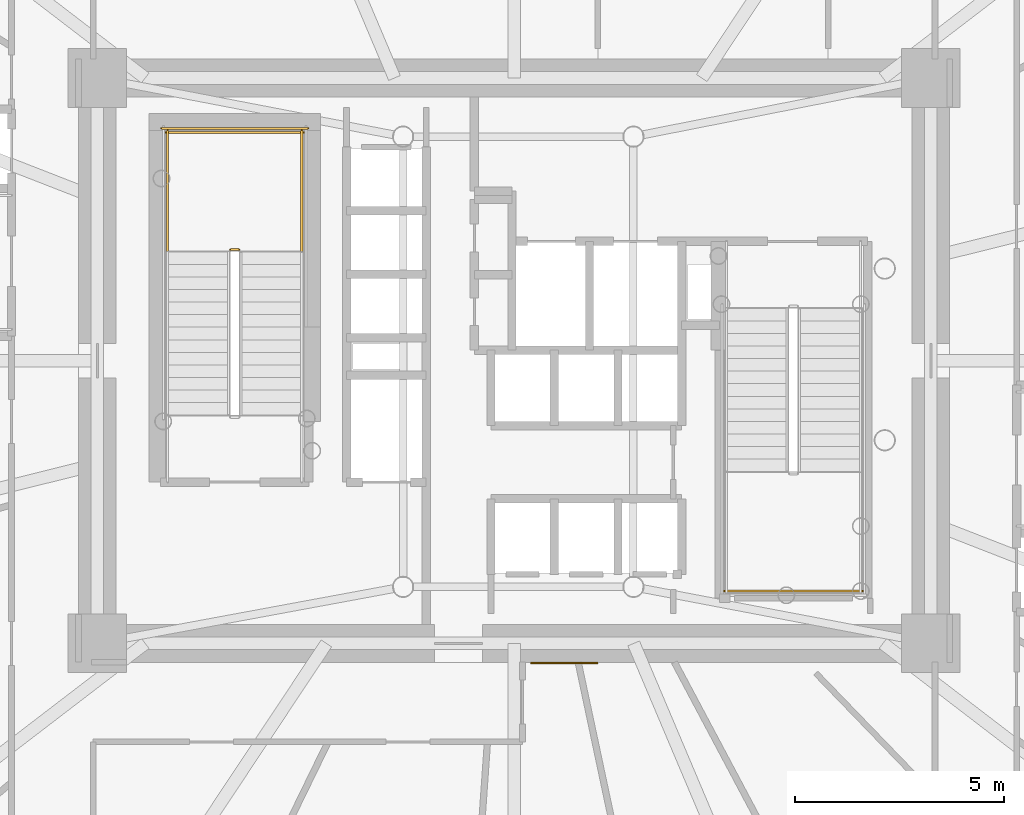
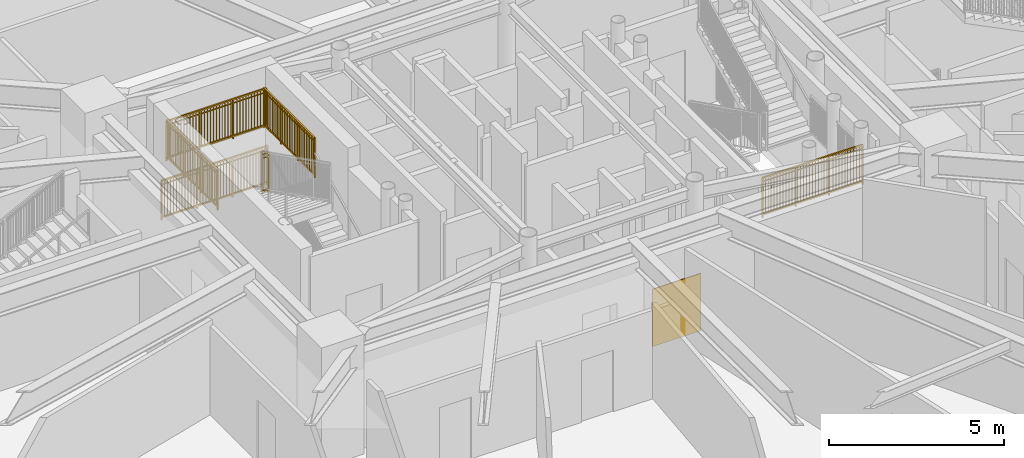
# One storey, part 22 of 27: 6 railings, 1 covering.
"""IFC4 building model written with IfcOpenShell, lengths in metres."""

from ifc_helpers import new_model, si_unit, direction, frame, origin, origin_2d, place, context, subcontext, project, spatial, rectangle, extrude, source, transform, mapped, material, layer, layer_set, type_object, element, save


model = new_model("IFC4")

# Units and contexts
model_context = context("Model", 3, precision=1e-05, world=origin(), true_north=direction((0.0, 1.0)))
body_context = subcontext(model_context, "Body", "Model", "MODEL_VIEW")
ifc_project = project(units=[si_unit("LENGTHUNIT", "METRE"), si_unit("AREAUNIT", "SQUARE_METRE"), si_unit("VOLUMEUNIT", "CUBIC_METRE"), si_unit("PLANEANGLEUNIT", "RADIAN"), si_unit("MASSUNIT", "GRAM", prefix="KILO")], contexts=[model_context])

# Site, building, storey
site_placement = place(None, origin())
site = spatial("IfcSite", under=ifc_project, at=site_placement, CompositionType="ELEMENT")
building_placement = place(site_placement, origin())
building = spatial("IfcBuilding", under=site, at=building_placement, Name="Linh Dai School and Residence Tower", CompositionType="ELEMENT")
storey_placement = place(building_placement, frame((0.0, 0.0, 18.60009765625)))
storey = spatial("IfcBuildingStorey", under=building, at=storey_placement, Name="L04", CompositionType="ELEMENT", Elevation=18.60009765625)

# Railings
ifc_material_1 = material(Name="Structural Steel S355JR", Category="steel")
railing_type = type_object("IfcRailingType", Name="RL-ST-GUARD-1400", PredefinedType="GUARDRAIL", material=ifc_material_1)
shared_shape_1 = source(origin(), body_context, "Body", "SweptSolid", [
    extrude(rectangle(XDim=0.048095703125, YDim=0.048095703125, at=origin_2d()), frame((0.0, 0.0, 1.3759765625), z_axis=(-1.0, 0.0, 0.0), x_axis=(0.0, -1.0, 0.0)), (0.0, 0.0, 1.0), 0.199951171875),
    extrude(rectangle(XDim=0.048095703125, YDim=0.048095703125, at=origin_2d()), frame((0.0, 0.0, 0.10009765625), z_axis=(-1.0, 0.0, 0.0), x_axis=(0.0, -1.0, 0.0)), (0.0, 0.0, 1.0), 0.199951171875),
    extrude(rectangle(XDim=0.030029296875, YDim=0.030029296875, at=origin_2d()), frame((0.0, 0.0, 1.239990234375), z_axis=(-1.0, 0.0, 0.0), x_axis=(0.0, -1.0, 0.0)), (0.0, 0.0, 1.0), 0.199951171875),
    extrude(rectangle(XDim=0.0419921875, YDim=0.0419921875, at=origin_2d()), origin(), (0.0, 0.0, 1.0), 1.3759765625),
    extrude(rectangle(XDim=0.0419921875, YDim=0.0419921875, at=origin_2d()), frame((-0.199951171875, 0.0, 0.0)), (0.0, 0.0, 1.0), 1.3759765625),
])
railing_1_placement = place(storey_placement, frame((29.429931640625, 29.64990234375, 2.099853515625)))
element("IfcRailing", 1, at=railing_1_placement, inside=storey, type_object=railing_type, Name="L04 ST1 stair guard 2", PredefinedType="GUARDRAIL", context=body_context, shape_type="MappedRepresentation", body=[
    mapped(shared_shape_1, transform((0.0, 0.0, 0.0), x_axis=(1.0, 0.0, 0.0), y_axis=(0.0, 1.0, 0.0), z_axis=(0.0, 0.0, 1.0), scale=1.0)),
])
shared_shape_2 = source(origin(), body_context, "Body", "SweptSolid", [
    extrude(rectangle(XDim=0.048095703125, YDim=0.048095703125, at=origin_2d()), frame((0.0, 0.0, 1.3759765625), z_axis=(-1.0, 0.0, 0.0), x_axis=(0.0, -1.0, 0.0)), (0.0, 0.0, 1.0), 3.300048828125),
    extrude(rectangle(XDim=0.048095703125, YDim=0.048095703125, at=origin_2d()), frame((0.0, 0.0, 0.10009765625), z_axis=(-1.0, 0.0, 0.0), x_axis=(0.0, -1.0, 0.0)), (0.0, 0.0, 1.0), 3.300048828125),
    extrude(rectangle(XDim=0.030029296875, YDim=0.030029296875, at=origin_2d()), frame((0.0, 0.0, 1.239990234375), z_axis=(-1.0, 0.0, 0.0), x_axis=(0.0, -1.0, 0.0)), (0.0, 0.0, 1.0), 3.300048828125),
    extrude(rectangle(XDim=0.02001953125, YDim=0.02001953125, at=origin_2d()), frame((-0.09716796875, 0.0, 0.10009765625)), (0.0, 0.0, 1.0), 1.251708984375),
    extrude(rectangle(XDim=0.02001953125, YDim=0.02001953125, at=origin_2d()), frame((-0.194091796875, 0.0, 0.10009765625)), (0.0, 0.0, 1.0), 1.251708984375),
    extrude(rectangle(XDim=0.02001953125, YDim=0.02001953125, at=origin_2d()), frame((-0.291259765625, 0.0, 0.10009765625)), (0.0, 0.0, 1.0), 1.251708984375),
    extrude(rectangle(XDim=0.02001953125, YDim=0.02001953125, at=origin_2d()), frame((-0.38818359375, 0.0, 0.10009765625)), (0.0, 0.0, 1.0), 1.251708984375),
    extrude(rectangle(XDim=0.02001953125, YDim=0.02001953125, at=origin_2d()), frame((-0.4853515625, 0.0, 0.10009765625)), (0.0, 0.0, 1.0), 1.251708984375),
    extrude(rectangle(XDim=0.02001953125, YDim=0.02001953125, at=origin_2d()), frame((-0.582275390625, 0.0, 0.10009765625)), (0.0, 0.0, 1.0), 1.251708984375),
    extrude(rectangle(XDim=0.02001953125, YDim=0.02001953125, at=origin_2d()), frame((-0.679443359375, 0.0, 0.10009765625)), (0.0, 0.0, 1.0), 1.251708984375),
    extrude(rectangle(XDim=0.02001953125, YDim=0.02001953125, at=origin_2d()), frame((-0.7763671875, 0.0, 0.10009765625)), (0.0, 0.0, 1.0), 1.251708984375),
    extrude(rectangle(XDim=0.02001953125, YDim=0.02001953125, at=origin_2d()), frame((-0.87353515625, 0.0, 0.10009765625)), (0.0, 0.0, 1.0), 1.251708984375),
    extrude(rectangle(XDim=0.02001953125, YDim=0.02001953125, at=origin_2d()), frame((-0.970703125, 0.0, 0.10009765625)), (0.0, 0.0, 1.0), 1.251708984375),
    extrude(rectangle(XDim=0.02001953125, YDim=0.02001953125, at=origin_2d()), frame((-1.164794921875, 0.0, 0.10009765625)), (0.0, 0.0, 1.0), 1.251708984375),
    extrude(rectangle(XDim=0.02001953125, YDim=0.02001953125, at=origin_2d()), frame((-1.26171875, 0.0, 0.10009765625)), (0.0, 0.0, 1.0), 1.251708984375),
    extrude(rectangle(XDim=0.02001953125, YDim=0.02001953125, at=origin_2d()), frame((-1.35888671875, 0.0, 0.10009765625)), (0.0, 0.0, 1.0), 1.251708984375),
    extrude(rectangle(XDim=0.02001953125, YDim=0.02001953125, at=origin_2d()), frame((-1.455810546875, 0.0, 0.10009765625)), (0.0, 0.0, 1.0), 1.251708984375),
    extrude(rectangle(XDim=0.02001953125, YDim=0.02001953125, at=origin_2d()), frame((-1.552978515625, 0.0, 0.10009765625)), (0.0, 0.0, 1.0), 1.251708984375),
    extrude(rectangle(XDim=0.02001953125, YDim=0.02001953125, at=origin_2d()), frame((-1.64990234375, 0.0, 0.10009765625)), (0.0, 0.0, 1.0), 1.251708984375),
    extrude(rectangle(XDim=0.02001953125, YDim=0.02001953125, at=origin_2d()), frame((-1.7470703125, 0.0, 0.10009765625)), (0.0, 0.0, 1.0), 1.251708984375),
    extrude(rectangle(XDim=0.02001953125, YDim=0.02001953125, at=origin_2d()), frame((-1.84423828125, 0.0, 0.10009765625)), (0.0, 0.0, 1.0), 1.251708984375),
    extrude(rectangle(XDim=0.02001953125, YDim=0.02001953125, at=origin_2d()), frame((-1.941162109375, 0.0, 0.10009765625)), (0.0, 0.0, 1.0), 1.251708984375),
    extrude(rectangle(XDim=0.02001953125, YDim=0.02001953125, at=origin_2d()), frame((-2.038330078125, 0.0, 0.10009765625)), (0.0, 0.0, 1.0), 1.251708984375),
    extrude(rectangle(XDim=0.02001953125, YDim=0.02001953125, at=origin_2d()), frame((-2.13525390625, 0.0, 0.10009765625)), (0.0, 0.0, 1.0), 1.251708984375),
    extrude(rectangle(XDim=0.02001953125, YDim=0.02001953125, at=origin_2d()), frame((-2.329345703125, 0.0, 0.10009765625)), (0.0, 0.0, 1.0), 1.251708984375),
    extrude(rectangle(XDim=0.02001953125, YDim=0.02001953125, at=origin_2d()), frame((-2.426513671875, 0.0, 0.10009765625)), (0.0, 0.0, 1.0), 1.251708984375),
    extrude(rectangle(XDim=0.02001953125, YDim=0.02001953125, at=origin_2d()), frame((-2.523681640625, 0.0, 0.10009765625)), (0.0, 0.0, 1.0), 1.251708984375),
    extrude(rectangle(XDim=0.02001953125, YDim=0.02001953125, at=origin_2d()), frame((-2.62060546875, 0.0, 0.10009765625)), (0.0, 0.0, 1.0), 1.251708984375),
    extrude(rectangle(XDim=0.02001953125, YDim=0.02001953125, at=origin_2d()), frame((-2.7177734375, 0.0, 0.10009765625)), (0.0, 0.0, 1.0), 1.251708984375),
    extrude(rectangle(XDim=0.02001953125, YDim=0.02001953125, at=origin_2d()), frame((-2.814697265625, 0.0, 0.10009765625)), (0.0, 0.0, 1.0), 1.251708984375),
    extrude(rectangle(XDim=0.02001953125, YDim=0.02001953125, at=origin_2d()), frame((-2.911865234375, 0.0, 0.10009765625)), (0.0, 0.0, 1.0), 1.251708984375),
    extrude(rectangle(XDim=0.02001953125, YDim=0.02001953125, at=origin_2d()), frame((-3.0087890625, 0.0, 0.10009765625)), (0.0, 0.0, 1.0), 1.251708984375),
    extrude(rectangle(XDim=0.02001953125, YDim=0.02001953125, at=origin_2d()), frame((-3.10595703125, 0.0, 0.10009765625)), (0.0, 0.0, 1.0), 1.251708984375),
    extrude(rectangle(XDim=0.02001953125, YDim=0.02001953125, at=origin_2d()), frame((-3.202880859375, 0.0, 0.10009765625)), (0.0, 0.0, 1.0), 1.251708984375),
    extrude(rectangle(XDim=0.0419921875, YDim=0.0419921875, at=origin_2d()), origin(), (0.0, 0.0, 1.0), 1.3759765625),
    extrude(rectangle(XDim=0.0419921875, YDim=0.0419921875, at=origin_2d()), frame((-1.10009765625, 0.0, 0.0)), (0.0, 0.0, 1.0), 1.3759765625),
    extrude(rectangle(XDim=0.0419921875, YDim=0.0419921875, at=origin_2d()), frame((-2.199951171875, 0.0, 0.0)), (0.0, 0.0, 1.0), 1.3759765625),
    extrude(rectangle(XDim=0.0419921875, YDim=0.0419921875, at=origin_2d()), frame((-3.300048828125, 0.0, 0.0)), (0.0, 0.0, 1.0), 1.3759765625),
])
railing_2_placement = place(storey_placement, frame((30.97998046875, 32.449951171875, 2.099853515625)))
element("IfcRailing", 2, at=railing_2_placement, inside=storey, type_object=railing_type, Name="L04 ST1 stair guard 5", PredefinedType="GUARDRAIL", context=body_context, shape_type="MappedRepresentation", body=[
    mapped(shared_shape_2, transform((0.0, 0.0, 0.0), x_axis=(1.0, 0.0, 0.0), y_axis=(0.0, 1.0, 0.0), z_axis=(0.0, 0.0, 1.0), scale=1.0)),
])
shared_shape_3 = source(origin(), body_context, "Body", "SweptSolid", [
    extrude(rectangle(XDim=0.048095703125, YDim=0.048095703125, at=origin_2d()), frame((0.0, 0.0, 1.3759765625), z_axis=(-1.0, 0.0, 0.0), x_axis=(0.0, -1.0, 0.0)), (0.0, 0.0, 1.0), 3.5),
    extrude(rectangle(XDim=0.048095703125, YDim=0.048095703125, at=origin_2d()), frame((0.0, 0.0, 0.10009765625), z_axis=(-1.0, 0.0, 0.0), x_axis=(0.0, -1.0, 0.0)), (0.0, 0.0, 1.0), 3.5),
    extrude(rectangle(XDim=0.030029296875, YDim=0.030029296875, at=origin_2d()), frame((0.0, 0.0, 1.239990234375), z_axis=(-1.0, 0.0, 0.0), x_axis=(0.0, -1.0, 0.0)), (0.0, 0.0, 1.0), 3.5),
    extrude(rectangle(XDim=0.02001953125, YDim=0.02001953125, at=origin_2d()), frame((-0.09716796875, 0.0, 0.10009765625)), (0.0, 0.0, 1.0), 1.251708984375),
    extrude(rectangle(XDim=0.02001953125, YDim=0.02001953125, at=origin_2d()), frame((-0.1943359375, 0.0, 0.10009765625)), (0.0, 0.0, 1.0), 1.251708984375),
    extrude(rectangle(XDim=0.02001953125, YDim=0.02001953125, at=origin_2d()), frame((-0.291748046875, 0.0, 0.10009765625)), (0.0, 0.0, 1.0), 1.251708984375),
    extrude(rectangle(XDim=0.02001953125, YDim=0.02001953125, at=origin_2d()), frame((-0.388916015625, 0.0, 0.10009765625)), (0.0, 0.0, 1.0), 1.251708984375),
    extrude(rectangle(XDim=0.02001953125, YDim=0.02001953125, at=origin_2d()), frame((-0.486083984375, 0.0, 0.10009765625)), (0.0, 0.0, 1.0), 1.251708984375),
    extrude(rectangle(XDim=0.02001953125, YDim=0.02001953125, at=origin_2d()), frame((-0.583251953125, 0.0, 0.10009765625)), (0.0, 0.0, 1.0), 1.251708984375),
    extrude(rectangle(XDim=0.02001953125, YDim=0.02001953125, at=origin_2d()), frame((-0.6806640625, 0.0, 0.10009765625)), (0.0, 0.0, 1.0), 1.251708984375),
    extrude(rectangle(XDim=0.02001953125, YDim=0.02001953125, at=origin_2d()), frame((-0.77783203125, 0.0, 0.10009765625)), (0.0, 0.0, 1.0), 1.251708984375),
    extrude(rectangle(XDim=0.02001953125, YDim=0.02001953125, at=origin_2d()), frame((-0.875, 0.0, 0.10009765625)), (0.0, 0.0, 1.0), 1.251708984375),
    extrude(rectangle(XDim=0.02001953125, YDim=0.02001953125, at=origin_2d()), frame((-0.97216796875, 0.0, 0.10009765625)), (0.0, 0.0, 1.0), 1.251708984375),
    extrude(rectangle(XDim=0.02001953125, YDim=0.02001953125, at=origin_2d()), frame((-1.0693359375, 0.0, 0.10009765625)), (0.0, 0.0, 1.0), 1.251708984375),
    extrude(rectangle(XDim=0.02001953125, YDim=0.02001953125, at=origin_2d()), frame((-1.263916015625, 0.0, 0.10009765625)), (0.0, 0.0, 1.0), 1.251708984375),
    extrude(rectangle(XDim=0.02001953125, YDim=0.02001953125, at=origin_2d()), frame((-1.361083984375, 0.0, 0.10009765625)), (0.0, 0.0, 1.0), 1.251708984375),
    extrude(rectangle(XDim=0.02001953125, YDim=0.02001953125, at=origin_2d()), frame((-1.458251953125, 0.0, 0.10009765625)), (0.0, 0.0, 1.0), 1.251708984375),
    extrude(rectangle(XDim=0.02001953125, YDim=0.02001953125, at=origin_2d()), frame((-1.5556640625, 0.0, 0.10009765625)), (0.0, 0.0, 1.0), 1.251708984375),
    extrude(rectangle(XDim=0.02001953125, YDim=0.02001953125, at=origin_2d()), frame((-1.65283203125, 0.0, 0.10009765625)), (0.0, 0.0, 1.0), 1.251708984375),
    extrude(rectangle(XDim=0.02001953125, YDim=0.02001953125, at=origin_2d()), frame((-1.75, 0.0, 0.10009765625)), (0.0, 0.0, 1.0), 1.251708984375),
    extrude(rectangle(XDim=0.02001953125, YDim=0.02001953125, at=origin_2d()), frame((-1.84716796875, 0.0, 0.10009765625)), (0.0, 0.0, 1.0), 1.251708984375),
    extrude(rectangle(XDim=0.02001953125, YDim=0.02001953125, at=origin_2d()), frame((-1.9443359375, 0.0, 0.10009765625)), (0.0, 0.0, 1.0), 1.251708984375),
    extrude(rectangle(XDim=0.02001953125, YDim=0.02001953125, at=origin_2d()), frame((-2.041748046875, 0.0, 0.10009765625)), (0.0, 0.0, 1.0), 1.251708984375),
    extrude(rectangle(XDim=0.02001953125, YDim=0.02001953125, at=origin_2d()), frame((-2.138916015625, 0.0, 0.10009765625)), (0.0, 0.0, 1.0), 1.251708984375),
    extrude(rectangle(XDim=0.02001953125, YDim=0.02001953125, at=origin_2d()), frame((-2.236083984375, 0.0, 0.10009765625)), (0.0, 0.0, 1.0), 1.251708984375),
    extrude(rectangle(XDim=0.02001953125, YDim=0.02001953125, at=origin_2d()), frame((-2.4306640625, 0.0, 0.10009765625)), (0.0, 0.0, 1.0), 1.251708984375),
    extrude(rectangle(XDim=0.02001953125, YDim=0.02001953125, at=origin_2d()), frame((-2.52783203125, 0.0, 0.10009765625)), (0.0, 0.0, 1.0), 1.251708984375),
    extrude(rectangle(XDim=0.02001953125, YDim=0.02001953125, at=origin_2d()), frame((-2.625, 0.0, 0.10009765625)), (0.0, 0.0, 1.0), 1.251708984375),
    extrude(rectangle(XDim=0.02001953125, YDim=0.02001953125, at=origin_2d()), frame((-2.72216796875, 0.0, 0.10009765625)), (0.0, 0.0, 1.0), 1.251708984375),
    extrude(rectangle(XDim=0.02001953125, YDim=0.02001953125, at=origin_2d()), frame((-2.8193359375, 0.0, 0.10009765625)), (0.0, 0.0, 1.0), 1.251708984375),
    extrude(rectangle(XDim=0.02001953125, YDim=0.02001953125, at=origin_2d()), frame((-2.916748046875, 0.0, 0.10009765625)), (0.0, 0.0, 1.0), 1.251708984375),
    extrude(rectangle(XDim=0.02001953125, YDim=0.02001953125, at=origin_2d()), frame((-3.013916015625, 0.0, 0.10009765625)), (0.0, 0.0, 1.0), 1.251708984375),
    extrude(rectangle(XDim=0.02001953125, YDim=0.02001953125, at=origin_2d()), frame((-3.111083984375, 0.0, 0.10009765625)), (0.0, 0.0, 1.0), 1.251708984375),
    extrude(rectangle(XDim=0.02001953125, YDim=0.02001953125, at=origin_2d()), frame((-3.208251953125, 0.0, 0.10009765625)), (0.0, 0.0, 1.0), 1.251708984375),
    extrude(rectangle(XDim=0.02001953125, YDim=0.02001953125, at=origin_2d()), frame((-3.3056640625, 0.0, 0.10009765625)), (0.0, 0.0, 1.0), 1.251708984375),
    extrude(rectangle(XDim=0.02001953125, YDim=0.02001953125, at=origin_2d()), frame((-3.40283203125, 0.0, 0.10009765625)), (0.0, 0.0, 1.0), 1.251708984375),
    extrude(rectangle(XDim=0.0419921875, YDim=0.0419921875, at=origin_2d()), origin(), (0.0, 0.0, 1.0), 1.3759765625),
    extrude(rectangle(XDim=0.0419921875, YDim=0.0419921875, at=origin_2d()), frame((-1.166748046875, 0.0, 0.0)), (0.0, 0.0, 1.0), 1.3759765625),
    extrude(rectangle(XDim=0.0419921875, YDim=0.0419921875, at=origin_2d()), frame((-2.333251953125, 0.0, 0.0)), (0.0, 0.0, 1.0), 1.3759765625),
    extrude(rectangle(XDim=0.0419921875, YDim=0.0419921875, at=origin_2d()), frame((-3.5, 0.0, 0.0)), (0.0, 0.0, 1.0), 1.3759765625),
])
railing_3_placement = place(storey_placement, frame((31.080078125, 32.550048828125, 0.0)))
element("IfcRailing", 3, at=railing_3_placement, inside=storey, type_object=railing_type, Name="L04 ST1 stair guard 12", PredefinedType="GUARDRAIL", context=body_context, shape_type="MappedRepresentation", body=[
    mapped(shared_shape_3, transform((0.0, 0.0, 0.0), x_axis=(1.0, 0.0, 0.0), y_axis=(0.0, 1.0, 0.0), z_axis=(0.0, 0.0, 1.0), scale=1.0)),
])
shared_shape_4 = source(origin(), body_context, "Body", "SweptSolid", [
    extrude(rectangle(XDim=0.048095703125, YDim=0.048095703125, at=origin_2d()), frame((0.0, 0.0, 1.3759765625), z_axis=(0.0, 1.0, 0.0), x_axis=(-1.0, 0.0, 0.0)), (0.0, 0.0, 1.0), 2.89990234375),
    extrude(rectangle(XDim=0.048095703125, YDim=0.048095703125, at=origin_2d()), frame((0.0, 0.0, 0.10009765625), z_axis=(0.0, 1.0, 0.0), x_axis=(-1.0, 0.0, 0.0)), (0.0, 0.0, 1.0), 2.89990234375),
    extrude(rectangle(XDim=0.030029296875, YDim=0.030029296875, at=origin_2d()), frame((0.0, 0.0, 1.239990234375), z_axis=(0.0, 1.0, 0.0), x_axis=(-1.0, 0.0, 0.0)), (0.0, 0.0, 1.0), 2.89990234375),
    extrude(rectangle(XDim=0.02001953125, YDim=0.02001953125, at=origin_2d()), frame((0.0, 0.0966796875, 0.10009765625)), (0.0, 0.0, 1.0), 1.251708984375),
    extrude(rectangle(XDim=0.02001953125, YDim=0.02001953125, at=origin_2d()), frame((0.0, 0.193359375, 0.10009765625)), (0.0, 0.0, 1.0), 1.251708984375),
    extrude(rectangle(XDim=0.02001953125, YDim=0.02001953125, at=origin_2d()), frame((0.0, 0.2900390625, 0.10009765625)), (0.0, 0.0, 1.0), 1.251708984375),
    extrude(rectangle(XDim=0.02001953125, YDim=0.02001953125, at=origin_2d()), frame((0.0, 0.38671875, 0.10009765625)), (0.0, 0.0, 1.0), 1.251708984375),
    extrude(rectangle(XDim=0.02001953125, YDim=0.02001953125, at=origin_2d()), frame((0.0, 0.4833984375, 0.10009765625)), (0.0, 0.0, 1.0), 1.251708984375),
    extrude(rectangle(XDim=0.02001953125, YDim=0.02001953125, at=origin_2d()), frame((0.0, 0.580078125, 0.10009765625)), (0.0, 0.0, 1.0), 1.251708984375),
    extrude(rectangle(XDim=0.02001953125, YDim=0.02001953125, at=origin_2d()), frame((0.0, 0.6767578125, 0.10009765625)), (0.0, 0.0, 1.0), 1.251708984375),
    extrude(rectangle(XDim=0.02001953125, YDim=0.02001953125, at=origin_2d()), frame((0.0, 0.773193359375, 0.10009765625)), (0.0, 0.0, 1.0), 1.251708984375),
    extrude(rectangle(XDim=0.02001953125, YDim=0.02001953125, at=origin_2d()), frame((0.0, 0.869873046875, 0.10009765625)), (0.0, 0.0, 1.0), 1.251708984375),
    extrude(rectangle(XDim=0.02001953125, YDim=0.02001953125, at=origin_2d()), frame((0.0, 1.063232421875, 0.10009765625)), (0.0, 0.0, 1.0), 1.251708984375),
    extrude(rectangle(XDim=0.02001953125, YDim=0.02001953125, at=origin_2d()), frame((0.0, 1.159912109375, 0.10009765625)), (0.0, 0.0, 1.0), 1.251708984375),
    extrude(rectangle(XDim=0.02001953125, YDim=0.02001953125, at=origin_2d()), frame((0.0, 1.256591796875, 0.10009765625)), (0.0, 0.0, 1.0), 1.251708984375),
    extrude(rectangle(XDim=0.02001953125, YDim=0.02001953125, at=origin_2d()), frame((0.0, 1.353271484375, 0.10009765625)), (0.0, 0.0, 1.0), 1.251708984375),
    extrude(rectangle(XDim=0.02001953125, YDim=0.02001953125, at=origin_2d()), frame((0.0, 1.449951171875, 0.10009765625)), (0.0, 0.0, 1.0), 1.251708984375),
    extrude(rectangle(XDim=0.02001953125, YDim=0.02001953125, at=origin_2d()), frame((0.0, 1.546630859375, 0.10009765625)), (0.0, 0.0, 1.0), 1.251708984375),
    extrude(rectangle(XDim=0.02001953125, YDim=0.02001953125, at=origin_2d()), frame((0.0, 1.643310546875, 0.10009765625)), (0.0, 0.0, 1.0), 1.251708984375),
    extrude(rectangle(XDim=0.02001953125, YDim=0.02001953125, at=origin_2d()), frame((0.0, 1.739990234375, 0.10009765625)), (0.0, 0.0, 1.0), 1.251708984375),
    extrude(rectangle(XDim=0.02001953125, YDim=0.02001953125, at=origin_2d()), frame((0.0, 1.836669921875, 0.10009765625)), (0.0, 0.0, 1.0), 1.251708984375),
    extrude(rectangle(XDim=0.02001953125, YDim=0.02001953125, at=origin_2d()), frame((0.0, 2.030029296875, 0.10009765625)), (0.0, 0.0, 1.0), 1.251708984375),
    extrude(rectangle(XDim=0.02001953125, YDim=0.02001953125, at=origin_2d()), frame((0.0, 2.126708984375, 0.10009765625)), (0.0, 0.0, 1.0), 1.251708984375),
    extrude(rectangle(XDim=0.02001953125, YDim=0.02001953125, at=origin_2d()), frame((0.0, 2.22314453125, 0.10009765625)), (0.0, 0.0, 1.0), 1.251708984375),
    extrude(rectangle(XDim=0.02001953125, YDim=0.02001953125, at=origin_2d()), frame((0.0, 2.31982421875, 0.10009765625)), (0.0, 0.0, 1.0), 1.251708984375),
    extrude(rectangle(XDim=0.02001953125, YDim=0.02001953125, at=origin_2d()), frame((0.0, 2.41650390625, 0.10009765625)), (0.0, 0.0, 1.0), 1.251708984375),
    extrude(rectangle(XDim=0.02001953125, YDim=0.02001953125, at=origin_2d()), frame((0.0, 2.51318359375, 0.10009765625)), (0.0, 0.0, 1.0), 1.251708984375),
    extrude(rectangle(XDim=0.02001953125, YDim=0.02001953125, at=origin_2d()), frame((0.0, 2.60986328125, 0.10009765625)), (0.0, 0.0, 1.0), 1.251708984375),
    extrude(rectangle(XDim=0.02001953125, YDim=0.02001953125, at=origin_2d()), frame((0.0, 2.70654296875, 0.10009765625)), (0.0, 0.0, 1.0), 1.251708984375),
    extrude(rectangle(XDim=0.02001953125, YDim=0.02001953125, at=origin_2d()), frame((0.0, 2.80322265625, 0.10009765625)), (0.0, 0.0, 1.0), 1.251708984375),
    extrude(rectangle(XDim=0.0419921875, YDim=0.0419921875, at=origin_2d()), origin(), (0.0, 0.0, 1.0), 1.3759765625),
    extrude(rectangle(XDim=0.0419921875, YDim=0.0419921875, at=origin_2d()), frame((0.0, 0.966552734375, 0.0)), (0.0, 0.0, 1.0), 1.3759765625),
    extrude(rectangle(XDim=0.0419921875, YDim=0.0419921875, at=origin_2d()), frame((0.0, 1.933349609375, 0.0)), (0.0, 0.0, 1.0), 1.3759765625),
    extrude(rectangle(XDim=0.0419921875, YDim=0.0419921875, at=origin_2d()), frame((0.0, 2.89990234375, 0.0)), (0.0, 0.0, 1.0), 1.3759765625),
])
for number, where, name in (
    (4, (30.929931640625, 29.60009765625, 2.099853515625), "L04 ST1 stair guard 3"),
    (5, (27.72998046875, 29.60009765625, 2.099853515625), "L04 ST1 stair guard 4"),
):
    element("IfcRailing", number, at=place(storey_placement, frame(where)), inside=storey, type_object=railing_type, Name=name, PredefinedType="GUARDRAIL", context=body_context, shape_type="MappedRepresentation", body=[
        mapped(shared_shape_4, transform((0.0, 0.0, 0.0), x_axis=(1.0, 0.0, 0.0), y_axis=(0.0, 1.0, 0.0), z_axis=(0.0, 0.0, 1.0), scale=1.0)),
    ])
shared_shape_5 = source(origin(), body_context, "Body", "SweptSolid", [
    extrude(rectangle(XDim=0.048095703125, YDim=0.048095703125, at=origin_2d()), frame((0.0, 0.0, 1.3759765625), z_axis=(1.0, 0.0, 0.0), x_axis=(0.0, 1.0, 0.0)), (0.0, 0.0, 1.0), 3.300048828125),
    extrude(rectangle(XDim=0.048095703125, YDim=0.048095703125, at=origin_2d()), frame((0.0, 0.0, 0.10009765625), z_axis=(1.0, 0.0, 0.0), x_axis=(0.0, 1.0, 0.0)), (0.0, 0.0, 1.0), 3.300048828125),
    extrude(rectangle(XDim=0.030029296875, YDim=0.030029296875, at=origin_2d()), frame((0.0, 0.0, 1.239990234375), z_axis=(1.0, 0.0, 0.0), x_axis=(0.0, 1.0, 0.0)), (0.0, 0.0, 1.0), 3.300048828125),
    extrude(rectangle(XDim=0.02001953125, YDim=0.02001953125, at=origin_2d()), frame((0.09716796875, 0.0, 0.10009765625)), (0.0, 0.0, 1.0), 1.251708984375),
    extrude(rectangle(XDim=0.02001953125, YDim=0.02001953125, at=origin_2d()), frame((0.194091796875, 0.0, 0.10009765625)), (0.0, 0.0, 1.0), 1.251708984375),
    extrude(rectangle(XDim=0.02001953125, YDim=0.02001953125, at=origin_2d()), frame((0.291259765625, 0.0, 0.10009765625)), (0.0, 0.0, 1.0), 1.251708984375),
    extrude(rectangle(XDim=0.02001953125, YDim=0.02001953125, at=origin_2d()), frame((0.38818359375, 0.0, 0.10009765625)), (0.0, 0.0, 1.0), 1.251708984375),
    extrude(rectangle(XDim=0.02001953125, YDim=0.02001953125, at=origin_2d()), frame((0.4853515625, 0.0, 0.10009765625)), (0.0, 0.0, 1.0), 1.251708984375),
    extrude(rectangle(XDim=0.02001953125, YDim=0.02001953125, at=origin_2d()), frame((0.582275390625, 0.0, 0.10009765625)), (0.0, 0.0, 1.0), 1.251708984375),
    extrude(rectangle(XDim=0.02001953125, YDim=0.02001953125, at=origin_2d()), frame((0.679443359375, 0.0, 0.10009765625)), (0.0, 0.0, 1.0), 1.251708984375),
    extrude(rectangle(XDim=0.02001953125, YDim=0.02001953125, at=origin_2d()), frame((0.7763671875, 0.0, 0.10009765625)), (0.0, 0.0, 1.0), 1.251708984375),
    extrude(rectangle(XDim=0.02001953125, YDim=0.02001953125, at=origin_2d()), frame((0.87353515625, 0.0, 0.10009765625)), (0.0, 0.0, 1.0), 1.251708984375),
    extrude(rectangle(XDim=0.02001953125, YDim=0.02001953125, at=origin_2d()), frame((0.970703125, 0.0, 0.10009765625)), (0.0, 0.0, 1.0), 1.251708984375),
    extrude(rectangle(XDim=0.02001953125, YDim=0.02001953125, at=origin_2d()), frame((1.164794921875, 0.0, 0.10009765625)), (0.0, 0.0, 1.0), 1.251708984375),
    extrude(rectangle(XDim=0.02001953125, YDim=0.02001953125, at=origin_2d()), frame((1.26171875, 0.0, 0.10009765625)), (0.0, 0.0, 1.0), 1.251708984375),
    extrude(rectangle(XDim=0.02001953125, YDim=0.02001953125, at=origin_2d()), frame((1.35888671875, 0.0, 0.10009765625)), (0.0, 0.0, 1.0), 1.251708984375),
    extrude(rectangle(XDim=0.02001953125, YDim=0.02001953125, at=origin_2d()), frame((1.455810546875, 0.0, 0.10009765625)), (0.0, 0.0, 1.0), 1.251708984375),
    extrude(rectangle(XDim=0.02001953125, YDim=0.02001953125, at=origin_2d()), frame((1.552978515625, 0.0, 0.10009765625)), (0.0, 0.0, 1.0), 1.251708984375),
    extrude(rectangle(XDim=0.02001953125, YDim=0.02001953125, at=origin_2d()), frame((1.64990234375, 0.0, 0.10009765625)), (0.0, 0.0, 1.0), 1.251708984375),
    extrude(rectangle(XDim=0.02001953125, YDim=0.02001953125, at=origin_2d()), frame((1.7470703125, 0.0, 0.10009765625)), (0.0, 0.0, 1.0), 1.251708984375),
    extrude(rectangle(XDim=0.02001953125, YDim=0.02001953125, at=origin_2d()), frame((1.84423828125, 0.0, 0.10009765625)), (0.0, 0.0, 1.0), 1.251708984375),
    extrude(rectangle(XDim=0.02001953125, YDim=0.02001953125, at=origin_2d()), frame((1.941162109375, 0.0, 0.10009765625)), (0.0, 0.0, 1.0), 1.251708984375),
    extrude(rectangle(XDim=0.02001953125, YDim=0.02001953125, at=origin_2d()), frame((2.038330078125, 0.0, 0.10009765625)), (0.0, 0.0, 1.0), 1.251708984375),
    extrude(rectangle(XDim=0.02001953125, YDim=0.02001953125, at=origin_2d()), frame((2.13525390625, 0.0, 0.10009765625)), (0.0, 0.0, 1.0), 1.251708984375),
    extrude(rectangle(XDim=0.02001953125, YDim=0.02001953125, at=origin_2d()), frame((2.329345703125, 0.0, 0.10009765625)), (0.0, 0.0, 1.0), 1.251708984375),
    extrude(rectangle(XDim=0.02001953125, YDim=0.02001953125, at=origin_2d()), frame((2.426513671875, 0.0, 0.10009765625)), (0.0, 0.0, 1.0), 1.251708984375),
    extrude(rectangle(XDim=0.02001953125, YDim=0.02001953125, at=origin_2d()), frame((2.523681640625, 0.0, 0.10009765625)), (0.0, 0.0, 1.0), 1.251708984375),
    extrude(rectangle(XDim=0.02001953125, YDim=0.02001953125, at=origin_2d()), frame((2.62060546875, 0.0, 0.10009765625)), (0.0, 0.0, 1.0), 1.251708984375),
    extrude(rectangle(XDim=0.02001953125, YDim=0.02001953125, at=origin_2d()), frame((2.7177734375, 0.0, 0.10009765625)), (0.0, 0.0, 1.0), 1.251708984375),
    extrude(rectangle(XDim=0.02001953125, YDim=0.02001953125, at=origin_2d()), frame((2.814697265625, 0.0, 0.10009765625)), (0.0, 0.0, 1.0), 1.251708984375),
    extrude(rectangle(XDim=0.02001953125, YDim=0.02001953125, at=origin_2d()), frame((2.911865234375, 0.0, 0.10009765625)), (0.0, 0.0, 1.0), 1.251708984375),
    extrude(rectangle(XDim=0.02001953125, YDim=0.02001953125, at=origin_2d()), frame((3.0087890625, 0.0, 0.10009765625)), (0.0, 0.0, 1.0), 1.251708984375),
    extrude(rectangle(XDim=0.02001953125, YDim=0.02001953125, at=origin_2d()), frame((3.10595703125, 0.0, 0.10009765625)), (0.0, 0.0, 1.0), 1.251708984375),
    extrude(rectangle(XDim=0.02001953125, YDim=0.02001953125, at=origin_2d()), frame((3.202880859375, 0.0, 0.10009765625)), (0.0, 0.0, 1.0), 1.251708984375),
    extrude(rectangle(XDim=0.0419921875, YDim=0.0419921875, at=origin_2d()), origin(), (0.0, 0.0, 1.0), 1.3759765625),
    extrude(rectangle(XDim=0.0419921875, YDim=0.0419921875, at=origin_2d()), frame((1.10009765625, 0.0, 0.0)), (0.0, 0.0, 1.0), 1.3759765625),
    extrude(rectangle(XDim=0.0419921875, YDim=0.0419921875, at=origin_2d()), frame((2.199951171875, 0.0, 0.0)), (0.0, 0.0, 1.0), 1.3759765625),
    extrude(rectangle(XDim=0.0419921875, YDim=0.0419921875, at=origin_2d()), frame((3.300048828125, 0.0, 0.0)), (0.0, 0.0, 1.0), 1.3759765625),
])
railing_4_placement = place(storey_placement, frame((41.02001953125, 21.5, 2.099853515625)))
element("IfcRailing", 6, at=railing_4_placement, inside=storey, type_object=railing_type, Name="L04 ST2 stair guard 5", PredefinedType="GUARDRAIL", context=body_context, shape_type="MappedRepresentation", body=[
    mapped(shared_shape_5, transform((0.0, 0.0, 0.0), x_axis=(1.0, 0.0, 0.0), y_axis=(0.0, 1.0, 0.0), z_axis=(0.0, 0.0, 1.0), scale=1.0)),
])

# Covering
ifc_material_2 = material(Name="Glazed Terracotta Acoustic Feature Cladding", Category="masonry")
ifc_layer = layer(ifc_material_2, 0.030029296875)
ifc_layer_set = layer_set([ifc_layer], Name="Glazed Terracotta Acoustic Feature Cladding")
covering_type = type_object("IfcCoveringType", Name="COV-CLAD-TC-30", PredefinedType="CLADDING", material=ifc_layer_set)
shared_shape_6 = source(origin(), body_context, "Body", "SweptSolid", [
    extrude(rectangle(XDim=1.60009765625, YDim=0.030029296875, at=origin_2d()), origin(), (0.0, 0.0, 1.0), 2.0),
])
covering_placement = place(storey_placement, frame((37.199951171875, 19.784912109375, 0.25), z_axis=(0.0, 0.0, 1.0), x_axis=(1.0, 0.0, 0.0)))
element("IfcCovering", 7, at=covering_placement, inside=storey, type_object=covering_type, Name="L04 Core Lobby Terracotta Feature Cladding", PredefinedType="CLADDING", context=body_context, shape_type="MappedRepresentation", body=[
    mapped(shared_shape_6, transform((0.0, 0.0, 0.0), x_axis=(1.0, 0.0, 0.0), y_axis=(0.0, 1.0, 0.0), z_axis=(0.0, 0.0, 1.0), scale=1.0)),
])

save(model, "model.ifc")
